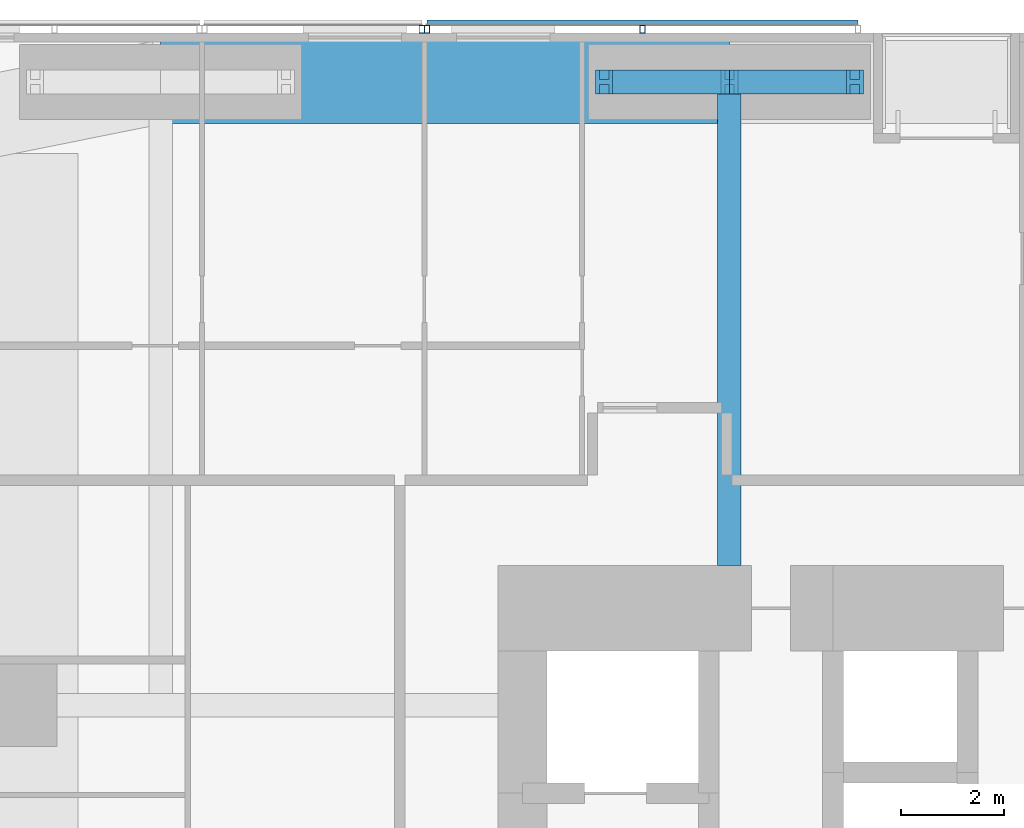
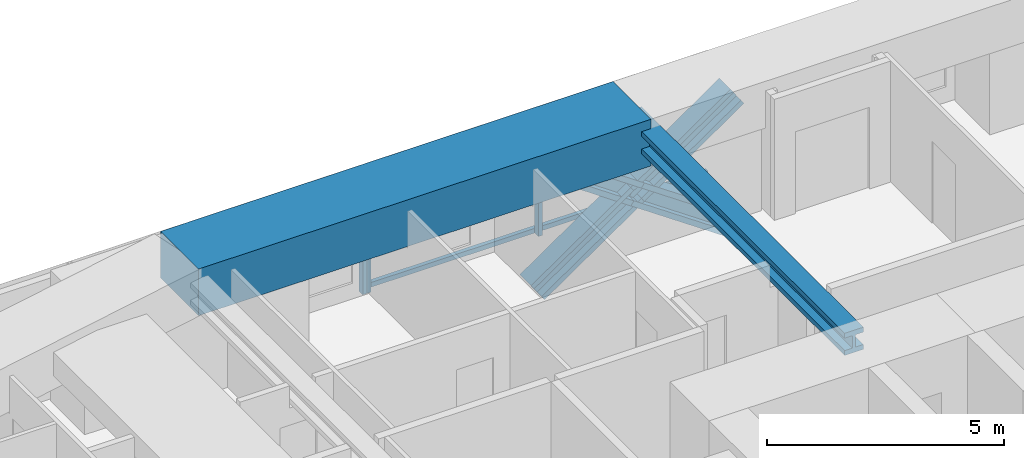
# One storey, part 12 of 23: 8 members, 2 beams, 2 elements without a shape of their own.
"""IFC4 building model written with IfcOpenShell, lengths in metres."""

from ifc_helpers import new_model, si_unit, direction, frame, origin, origin_2d, place, context, subcontext, project, spatial, rectangle, hollow_rectangle, i_section, extrude, material, material_profile, profile_set, type_object, element, aggregate, save


model = new_model("IFC4")

# Units and contexts
model_context = context("Model", 3, precision=1e-05, world=origin(), true_north=direction((0.0, 1.0)))
body_context = subcontext(model_context, "Body", "Model", "MODEL_VIEW")
ifc_project = project(units=[si_unit("LENGTHUNIT", "METRE"), si_unit("AREAUNIT", "SQUARE_METRE"), si_unit("VOLUMEUNIT", "CUBIC_METRE"), si_unit("PLANEANGLEUNIT", "RADIAN"), si_unit("MASSUNIT", "GRAM", prefix="KILO")], contexts=[model_context])

# Site, building, storey
site_placement = place(None, origin())
site = spatial("IfcSite", under=ifc_project, at=site_placement, CompositionType="ELEMENT")
building_placement = place(site_placement, origin())
building = spatial("IfcBuilding", under=site, at=building_placement, Name="Jalousie Tower", CompositionType="ELEMENT")
storey_placement = place(building_placement, frame((0.0, 0.0, 24.35009765625)))
storey = spatial("IfcBuildingStorey", under=building, at=storey_placement, Name="L05", CompositionType="ELEMENT", Elevation=24.35009765625)

# Beam
ifc_material_1 = material(Name="Steel ASTM A992 Grade 50", Category="steel")
ifc_material_profile_1 = material_profile(ifc_material_1, i_section(OverallWidth=0.45458984375, OverallDepth=0.569091796875, WebThickness=0.077880859375, FlangeThickness=0.124755859375, at=origin_2d()), Name="W14X730")
ifc_profile_set_1 = profile_set([ifc_material_profile_1], Name="Steel ASTM A992 Grade 50")
beam_type_1 = type_object("IfcBeamType", Name="LEAN COLLECTOR W14X730", PredefinedType="BEAM", material=ifc_profile_set_1)
beam_1_placement = place(storey_placement, frame((24.0, 37.050048828125, 2.825439453125), z_axis=(0.0, -1.0, 0.0), x_axis=(1.0, 0.0, 0.0)))
element("IfcBeam", 1, at=beam_1_placement, inside=storey, type_object=beam_type_1, Name="Lean collector under L06", PredefinedType="BEAM", context=body_context, shape_type="SweptSolid", body=[
    extrude(i_section(OverallWidth=0.45458984375, OverallDepth=0.569091796875, WebThickness=0.077880859375, FlangeThickness=0.124755859375, at=origin_2d()), origin(), (0.0, 0.0, 1.0), 9.35009765625),
])

# Members
ifc_material_2 = material(Name="Steel ASTM A992 Grade 50", Category="steel")
ifc_material_profile_2 = material_profile(ifc_material_2, i_section(OverallWidth=0.472412109375, OverallDepth=0.5791015625, WebThickness=0.094970703125, FlangeThickness=0.1298828125, at=origin_2d()), Name="W14X808")
ifc_profile_set_2 = profile_set([ifc_material_profile_2], Name="Steel ASTM A992 Grade 50")
member_type_1 = type_object("IfcMemberType", Name="PERIMETER BRACE W14X808", PredefinedType="BRACE", material=ifc_profile_set_2)
for number, where, z_axis, x_axis, name in (
    (2, (21.574951171875, 37.050048828125, -0.60009765625), (0.822800062329, 0.0, 0.568330940062), (0.0, 1.0, 0.0), "Perimeter brace 10 L05 part 1"),
    (3, (24.0, 37.050048828125, 1.074951171875), (0.822800062329, 0.0, 0.568330940062), (0.0, 1.0, 0.0), "Perimeter brace 10 L05 part 2"),
    (4, (26.425048828125, 37.050048828125, -0.60009765625), (-0.822800062329, 0.0, 0.568330940062), (0.0, -1.0, 0.0), "Perimeter brace 10 L05 part 3"),
    (5, (24.0, 37.050048828125, 1.074951171875), (-0.822800062329, 0.0, 0.568330940062), (0.0, -1.0, 0.0), "Perimeter brace 10 L05 part 4"),
):
    element("IfcMember", number, at=place(storey_placement, frame(where, z_axis=z_axis, x_axis=x_axis)), inside=storey, type_object=member_type_1, Name=name, PredefinedType="BRACE", context=body_context, shape_type="SweptSolid", body=[
        extrude(i_section(OverallWidth=0.472412109375, OverallDepth=0.5791015625, WebThickness=0.094970703125, FlangeThickness=0.1298828125, at=origin_2d()), origin(), (0.0, 0.0, 1.0), 2.947265625),
    ])

# Beam
ifc_material_3 = material(Name="Concrete f'c 40 MPa", Category="concrete")
ifc_material_profile_3 = material_profile(ifc_material_3, rectangle(XDim=1.60009765625, YDim=1.199951171875, at=origin_2d()), Name="RC 1600x1200")
ifc_profile_set_3 = profile_set([ifc_material_profile_3], Name="Concrete f'c 40 MPa")
beam_type_2 = type_object("IfcBeamType", Name="RC BEAM 1600x1200", PredefinedType="BEAM", material=ifc_profile_set_3)
beam_2_placement = place(storey_placement, frame((24.0, 37.050048828125, 2.75), z_axis=(-1.0, 0.0, 0.0), x_axis=(0.0, -1.0, 0.0)))
element("IfcBeam", 6, at=beam_2_placement, inside=storey, type_object=beam_type_2, Name="Edge band beam 10-11 under L06", PredefinedType="BEAM", context=body_context, shape_type="SweptSolid", body=[
    extrude(rectangle(XDim=1.60009765625, YDim=1.199951171875, at=origin_2d()), origin(), (0.0, 0.0, 1.0), 11.0),
])

# Curtain wall, members
ifc_material_4 = material(Name="Perforated aluminium sheet", Category="aluminium")
curtain_wall_type = type_object("IfcCurtainWallType", Name="SOLAR SCREEN SS-1", PredefinedType="USERDEFINED", material=ifc_material_4)
curtain_wall_1_placement = place(storey_placement, origin())
curtain_wall_1 = element("IfcCurtainWall", 7, at=curtain_wall_1_placement, inside=storey, type_object=curtain_wall_type, Name="Solar screen L05", ObjectType="SOLAR SCREEN SS-1", PredefinedType="USERDEFINED")
ifc_material_5 = material(Name="Steel ASTM A500 Grade C", Category="steel")
ifc_material_profile_4 = material_profile(ifc_material_5, hollow_rectangle(XDim=0.1015625, YDim=0.15234375, WallThickness=0.00634765625, at=origin_2d()), Name="HSS6X4X1/4")
ifc_profile_set_4 = profile_set([ifc_material_profile_4], Name="Steel ASTM A500 Grade C")
member_type_2 = type_object("IfcMemberType", Name="SOLAR SCREEN SS-1 MULLION", PredefinedType="MULLION", material=ifc_profile_set_4)
member_1_placement = place(storey_placement, frame((22.316650390625, 38.0712890625, -0.1201171875), z_axis=(0.0, 0.0, 1.0), x_axis=(-1.0, 0.0, 0.0)))
member_1 = element("IfcMember", 8, at=member_1_placement, type_object=member_type_2, Name="SS1 post 2", PredefinedType="MULLION", context=body_context, shape_type="SweptSolid", body=[
    extrude(hollow_rectangle(XDim=0.1015625, YDim=0.15234375, WallThickness=0.00634765625, at=origin_2d()), origin(), (0.0, 0.0, 1.0), 3.22998046875),
])
member_2_placement = place(storey_placement, frame((18.14990234375, 38.0712890625, -0.1201171875), z_axis=(0.0, 0.0, 1.0), x_axis=(-1.0, 0.0, 0.0)))
member_2 = element("IfcMember", 9, at=member_2_placement, type_object=member_type_2, Name="SS1 post 3", PredefinedType="MULLION", context=body_context, shape_type="SweptSolid", body=[
    extrude(hollow_rectangle(XDim=0.1015625, YDim=0.15234375, WallThickness=0.00634765625, at=origin_2d()), origin(), (0.0, 0.0, 1.0), 3.22998046875),
])

# Curtain wall, member
curtain_wall_2_placement = place(storey_placement, origin())
curtain_wall_2 = element("IfcCurtainWall", 10, at=curtain_wall_2_placement, inside=storey, type_object=curtain_wall_type, Name="Solar screen L05", ObjectType="SOLAR SCREEN SS-1", PredefinedType="USERDEFINED")
member_3_placement = place(storey_placement, frame((18.050048828125, 38.0712890625, -0.1201171875), z_axis=(0.0, 0.0, 1.0), x_axis=(-1.0, 0.0, 0.0)))
member_3 = element("IfcMember", 11, at=member_3_placement, type_object=member_type_2, Name="SS1 post 1", PredefinedType="MULLION", context=body_context, shape_type="SweptSolid", body=[
    extrude(hollow_rectangle(XDim=0.1015625, YDim=0.15234375, WallThickness=0.00634765625, at=origin_2d()), origin(), (0.0, 0.0, 1.0), 3.22998046875),
])
aggregate(curtain_wall_2, [member_3])

# Member
ifc_material_6 = material(Name="Extruded aluminium screen rail", Category="aluminium")
ifc_material_profile_5 = material_profile(ifc_material_6, rectangle(XDim=0.1015625, YDim=0.1201171875, at=origin_2d()), Name="RAIL 102x120")
ifc_profile_set_5 = profile_set([ifc_material_profile_5], Name="Extruded aluminium screen rail")
member_type_3 = type_object("IfcMemberType", Name="SOLAR SCREEN SS-1 TRANSOM", PredefinedType="USERDEFINED", material=ifc_profile_set_5)
member_4_placement = place(storey_placement, frame((26.483154296875, 38.1982421875, -0.06005859375), z_axis=(-1.0, 0.0, 0.0), x_axis=(0.0, -1.0, 0.0)))
member_4 = element("IfcMember", 12, at=member_4_placement, type_object=member_type_3, Name="SS1 rail", ObjectType="TRANSOM", PredefinedType="USERDEFINED", context=body_context, shape_type="SweptSolid", body=[
    extrude(rectangle(XDim=0.1015625, YDim=0.1201171875, at=origin_2d()), origin(), (0.0, 0.0, 1.0), 8.333251953125),
])

aggregate(curtain_wall_1, [member_1, member_2, member_4])

save(model, "model.ifc")
